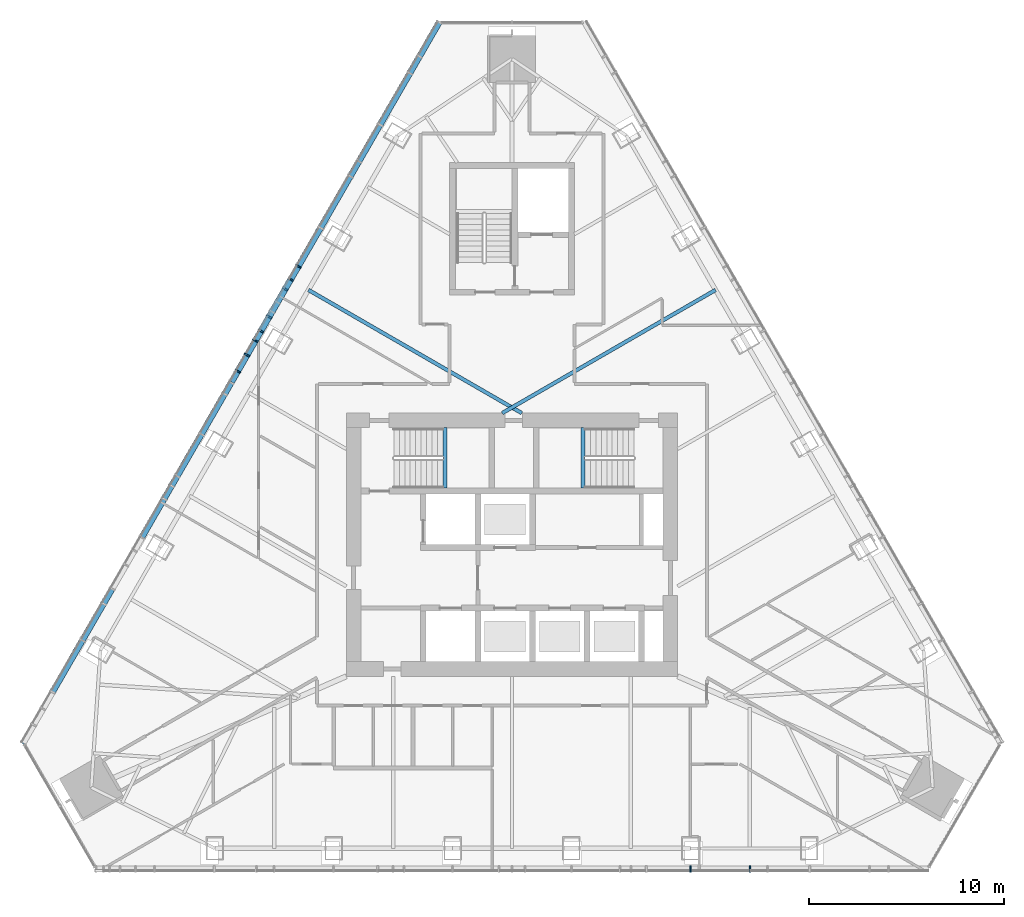
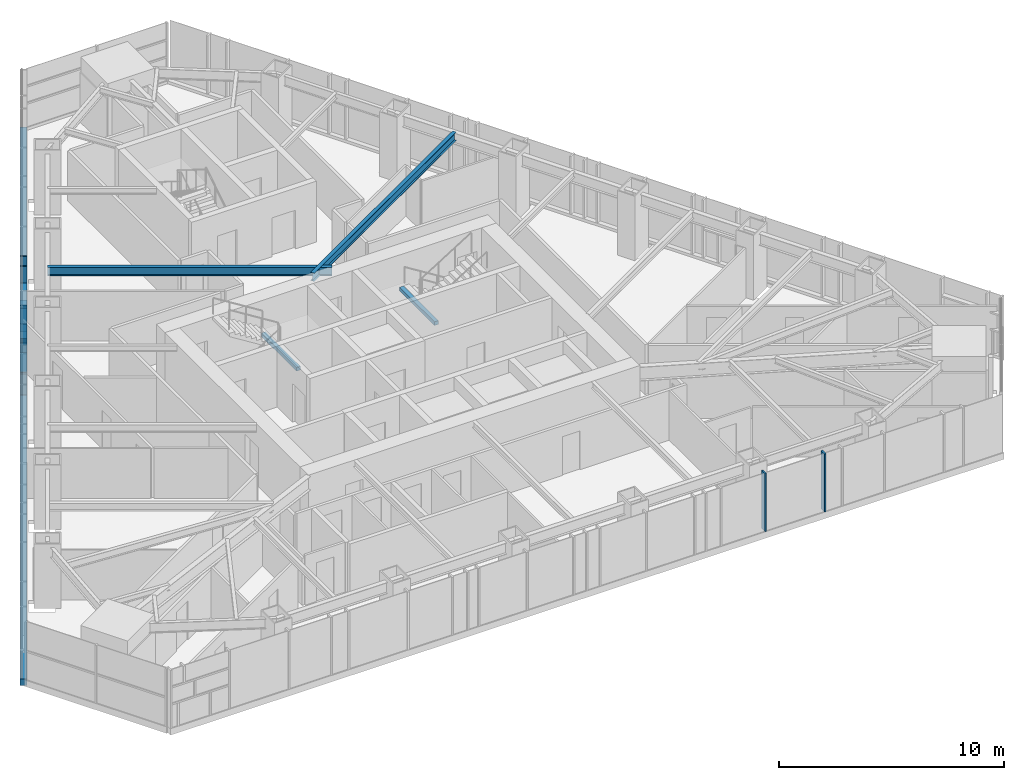
# One storey, part 4 of 18: 14 members, 4 beams, 2 elements without a shape of their own.
"""IFC4 building model written with IfcOpenShell, lengths in metres."""

from ifc_helpers import new_model, si_unit, direction, frame, origin, origin_2d, place, context, subcontext, project, spatial, rectangle, i_section, extrude, material, layer, layer_set, material_profile, profile_set, type_object, element, aggregate, save


model = new_model("IFC4")

# Units and contexts
model_context = context("Model", 3, precision=1e-05, world=origin(), true_north=direction((0.0, 1.0)))
body_context = subcontext(model_context, "Body", "Model", "MODEL_VIEW")
ifc_project = project(units=[si_unit("LENGTHUNIT", "METRE"), si_unit("AREAUNIT", "SQUARE_METRE"), si_unit("VOLUMEUNIT", "CUBIC_METRE"), si_unit("PLANEANGLEUNIT", "RADIAN"), si_unit("MASSUNIT", "GRAM", prefix="KILO")], contexts=[model_context])

# Site, building, storey
site_placement = place(None, origin())
site = spatial("IfcSite", under=ifc_project, at=site_placement, CompositionType="ELEMENT")
building_placement = place(site_placement, origin())
building = spatial("IfcBuilding", under=site, at=building_placement, Name="Firuza Gate Tower and Library", CompositionType="ELEMENT")
storey_placement = place(building_placement, frame((0.0, 0.0, 298.60009765625)))
storey = spatial("IfcBuildingStorey", under=building, at=storey_placement, Name="L72", CompositionType="ELEMENT", Elevation=298.60009765625)

# Curtain wall, members
ifc_material_1 = material(Name="Aluminium 6063-T6", Category="aluminium")
ifc_layer = layer(ifc_material_1, 0.14990234375)
ifc_layer_set = layer_set([ifc_layer], Name="Unitised curtain wall, residences")
curtain_wall_type = type_object("IfcCurtainWallType", Name="Unitised curtain wall, residences", PredefinedType="NOTDEFINED", material=ifc_layer_set)
placement = place(storey_placement, origin())
curtain_wall_1 = element("IfcCurtainWall", 1, at=placement, inside=storey, type_object=curtain_wall_type, Name="CW3 L72 S face", PredefinedType="NOTDEFINED")
ifc_material_2 = material(Name="Aluminium 6063-T6", Category="aluminium")
ifc_material_profile_1 = material_profile(ifc_material_2, rectangle(XDim=0.320068359375, YDim=0.080078125, at=origin_2d()))
ifc_profile_set_1 = profile_set([ifc_material_profile_1], Name="Aluminium 6063-T6")
member_type_1 = type_object("IfcMemberType", Name="Curtain wall mullion 80x320", PredefinedType="MULLION", material=ifc_profile_set_1)
member_1_placement = place(storey_placement, frame((84.16259765625, 58.36474609375, 0.14990234375), z_axis=(0.0, 0.0, 1.0), x_axis=(0.0, 1.0, 0.0)))
member_1 = element("IfcMember", 2, at=member_1_placement, type_object=member_type_1, Name="Mullion", PredefinedType="MULLION", context=body_context, shape_type="SweptSolid", body=[
    extrude(rectangle(XDim=0.320068359375, YDim=0.080078125, at=origin_2d()), origin(), (0.0, 0.0, 1.0), 3.14990234375),
])
member_2_placement = place(storey_placement, frame((87.216796875, 58.36474609375, 0.14990234375), z_axis=(0.0, 0.0, 1.0), x_axis=(0.0, 1.0, 0.0)))
member_2 = element("IfcMember", 3, at=member_2_placement, type_object=member_type_1, Name="Mullion", PredefinedType="MULLION", context=body_context, shape_type="SweptSolid", body=[
    extrude(rectangle(XDim=0.320068359375, YDim=0.080078125, at=origin_2d()), origin(), (0.0, 0.0, 1.0), 3.14990234375),
])
aggregate(curtain_wall_1, [member_1, member_2])

curtain_wall_2 = element("IfcCurtainWall", 4, at=placement, inside=storey, type_object=curtain_wall_type, Name="CW3 L72 W face", PredefinedType="NOTDEFINED")
member_3_placement = place(storey_placement, frame((63.647705078125, 88.607666015625, 0.14990234375), z_axis=(0.0, 0.0, 1.0), x_axis=(0.866025403784, -0.5, 0.0)))
member_3 = element("IfcMember", 5, at=member_3_placement, type_object=member_type_1, Name="Mullion", PredefinedType="MULLION", context=body_context, shape_type="SweptSolid", body=[
    extrude(rectangle(XDim=0.320068359375, YDim=0.080078125, at=origin_2d()), origin(), (0.0, 0.0, 1.0), 3.14990234375),
])
member_4_placement = place(storey_placement, frame((62.12060546875, 85.962646484375, 0.14990234375), z_axis=(0.0, 0.0, 1.0), x_axis=(0.866025403784, -0.5, 0.0)))
member_4 = element("IfcMember", 6, at=member_4_placement, type_object=member_type_1, Name="Mullion", PredefinedType="MULLION", context=body_context, shape_type="SweptSolid", body=[
    extrude(rectangle(XDim=0.320068359375, YDim=0.080078125, at=origin_2d()), origin(), (0.0, 0.0, 1.0), 3.14990234375),
])
member_5_placement = place(storey_placement, frame((64.036376953125, 89.281005859375, 0.14990234375), z_axis=(0.0, 0.0, 1.0), x_axis=(0.866025403784, -0.5, 0.0)))
member_5 = element("IfcMember", 7, at=member_5_placement, type_object=member_type_1, Name="Mullion", PredefinedType="MULLION", context=body_context, shape_type="SweptSolid", body=[
    extrude(rectangle(XDim=0.320068359375, YDim=0.080078125, at=origin_2d()), origin(), (0.0, 0.0, 1.0), 3.14990234375),
])
member_6_placement = place(storey_placement, frame((63.36376953125, 88.115966796875, 0.14990234375), z_axis=(0.0, 0.0, 1.0), x_axis=(0.866025403784, -0.5, 0.0)))
member_6 = element("IfcMember", 8, at=member_6_placement, type_object=member_type_1, Name="Mullion", PredefinedType="MULLION", context=body_context, shape_type="SweptSolid", body=[
    extrude(rectangle(XDim=0.320068359375, YDim=0.080078125, at=origin_2d()), origin(), (0.0, 0.0, 1.0), 1.260009765625),
])
member_7_placement = place(storey_placement, frame((62.539306640625, 86.68798828125, 0.14990234375), z_axis=(0.0, 0.0, 1.0), x_axis=(0.866025403784, -0.5, 0.0)))
member_7 = element("IfcMember", 9, at=member_7_placement, type_object=member_type_1, Name="Mullion", PredefinedType="MULLION", context=body_context, shape_type="SweptSolid", body=[
    extrude(rectangle(XDim=0.320068359375, YDim=0.080078125, at=origin_2d()), origin(), (0.0, 0.0, 1.0), 1.260009765625),
])
member_8_placement = place(storey_placement, frame((61.835693359375, 85.46923828125, 0.14990234375), z_axis=(0.0, 0.0, 1.0), x_axis=(0.866025403784, -0.5, 0.0)))
member_8 = element("IfcMember", 10, at=member_8_placement, type_object=member_type_1, Name="Mullion", PredefinedType="MULLION", context=body_context, shape_type="SweptSolid", body=[
    extrude(rectangle(XDim=0.320068359375, YDim=0.080078125, at=origin_2d()), origin(), (0.0, 0.0, 1.0), 1.534912109375),
])
member_9_placement = place(storey_placement, frame((60.9296875, 83.900146484375, 0.14990234375), z_axis=(0.0, 0.0, 1.0), x_axis=(0.866025403784, -0.5, 0.0)))
member_9 = element("IfcMember", 11, at=member_9_placement, type_object=member_type_1, Name="Mullion", PredefinedType="MULLION", context=body_context, shape_type="SweptSolid", body=[
    extrude(rectangle(XDim=0.320068359375, YDim=0.080078125, at=origin_2d()), origin(), (0.0, 0.0, 1.0), 1.534912109375),
])
member_10_placement = place(storey_placement, frame((61.407470703125, 84.727783203125, 1.764892578125), z_axis=(0.0, 0.0, 1.0), x_axis=(0.866025403784, -0.5, 0.0)))
member_10 = element("IfcMember", 12, at=member_10_placement, type_object=member_type_1, Name="Mullion", PredefinedType="MULLION", context=body_context, shape_type="SweptSolid", body=[
    extrude(rectangle(XDim=0.320068359375, YDim=0.080078125, at=origin_2d()), origin(), (0.0, 0.0, 1.0), 1.534912109375),
])
ifc_material_3 = material(Name="Aluminium 6063-T6", Category="aluminium")
ifc_material_profile_2 = material_profile(ifc_material_3, rectangle(XDim=0.320068359375, YDim=0.35009765625, at=origin_2d()))
ifc_profile_set_2 = profile_set([ifc_material_profile_2], Name="Aluminium 6063-T6")
member_type_2 = type_object("IfcMemberType", Name="Curtain wall transom 350x320", PredefinedType="USERDEFINED", material=ifc_profile_set_2)
member_11_placement = place(storey_placement, frame((71.283203125, 101.832763671875, -0.025146484375), z_axis=(-0.500001704016, -0.866024419968, 0.0), x_axis=(0.866024419968, -0.500001704016, 0.0)))
member_11 = element("IfcMember", 13, at=member_11_placement, type_object=member_type_2, Name="Transom", ObjectType="TRANSOM", PredefinedType="USERDEFINED", context=body_context, shape_type="SweptSolid", body=[
    extrude(rectangle(XDim=0.320068359375, YDim=0.35009765625, at=origin_2d()), origin(), (0.0, 0.0, 1.0), 42.758544921875),
])
ifc_material_4 = material(Name="Aluminium 6063-T6", Category="aluminium")
ifc_material_profile_3 = material_profile(ifc_material_4, rectangle(XDim=0.320068359375, YDim=0.080078125, at=origin_2d()))
ifc_profile_set_3 = profile_set([ifc_material_profile_3], Name="Aluminium 6063-T6")
member_type_3 = type_object("IfcMemberType", Name="Curtain wall transom 80x320", PredefinedType="USERDEFINED", material=ifc_profile_set_3)
member_12_placement = place(storey_placement, frame((63.627685546875, 88.572998046875, 1.449951171875), z_axis=(-0.499997208602, -0.866027015393, 0.0), x_axis=(0.866027015393, -0.499997208602, 0.0)))
member_12 = element("IfcMember", 14, at=member_12_placement, type_object=member_type_3, Name="Transom", ObjectType="TRANSOM", PredefinedType="USERDEFINED", context=body_context, shape_type="SweptSolid", body=[
    extrude(rectangle(XDim=0.320068359375, YDim=0.080078125, at=origin_2d()), origin(), (0.0, 0.0, 1.0), 2.97412109375),
])
member_13_placement = place(storey_placement, frame((63.627685546875, 88.572998046875, 2.375), z_axis=(-0.499997208602, -0.866027015393, 0.0), x_axis=(0.866027015393, -0.499997208602, 0.0)))
member_13 = element("IfcMember", 15, at=member_13_placement, type_object=member_type_3, Name="Transom", ObjectType="TRANSOM", PredefinedType="USERDEFINED", context=body_context, shape_type="SweptSolid", body=[
    extrude(rectangle(XDim=0.320068359375, YDim=0.080078125, at=origin_2d()), origin(), (0.0, 0.0, 1.0), 2.97412109375),
])
member_14_placement = place(storey_placement, frame((62.1005859375, 85.927978515625, 1.724853515625), z_axis=(-0.499997208602, -0.866027015393, 0.0), x_axis=(0.866027015393, -0.499997208602, 0.0)))
member_14 = element("IfcMember", 16, at=member_14_placement, type_object=member_type_3, Name="Transom", ObjectType="TRANSOM", PredefinedType="USERDEFINED", context=body_context, shape_type="SweptSolid", body=[
    extrude(rectangle(XDim=0.320068359375, YDim=0.080078125, at=origin_2d()), origin(), (0.0, 0.0, 1.0), 2.97412109375),
])
aggregate(curtain_wall_2, [member_3, member_4, member_11, member_5, member_6, member_7, member_12, member_13, member_8, member_9, member_10, member_14])

# Beams
ifc_material_5 = material(Name="Concrete C35/45", Category="concrete")
ifc_material_profile_4 = material_profile(ifc_material_5, rectangle(XDim=0.199951171875, YDim=0.199951171875, at=origin_2d()))
ifc_profile_set_4 = profile_set([ifc_material_profile_4], Name="Concrete C35/45")
beam_type_1 = type_object("IfcBeamType", Name="Stair landing bearer 200x200", PredefinedType="BEAM", material=ifc_profile_set_4)
for number, where, z_axis, x_axis, name in (
    (17, (71.56005859375, 77.89990234375, 1.449951171875), (0.0, 1.0, 0.0), (-1.0, 0.0, 0.0), "Landing bearer L72 stair 1"),
    (18, (78.639892578125, 81.0, 1.449951171875), (0.0, -1.0, 0.0), (1.0, 0.0, 0.0), "Landing bearer L72 stair 2"),
):
    element("IfcBeam", number, at=place(storey_placement, frame(where, z_axis=z_axis, x_axis=x_axis)), inside=storey, type_object=beam_type_1, Name=name, PredefinedType="BEAM", context=body_context, shape_type="SweptSolid", body=[
        extrude(rectangle(XDim=0.199951171875, YDim=0.199951171875, at=origin_2d()), origin(), (0.0, 0.0, 1.0), 3.10009765625),
    ])
ifc_material_6 = material(Name="Steel S355", Category="steel")
ifc_material_profile_5 = material_profile(ifc_material_6, i_section(OverallWidth=0.18994140625, OverallDepth=0.45703125, WebThickness=0.009033203125, FlangeThickness=0.014404296875, at=origin_2d()))
ifc_profile_set_5 = profile_set([ifc_material_profile_5], Name="Steel S355")
beam_type_2 = type_object("IfcBeamType", Name="W460x74 Floor beam", PredefinedType="JOIST", material=ifc_profile_set_5)
for number, where, z_axis, x_axis, name in (
    (19, (85.440673828125, 88.06689453125, 3.0712890625), (-0.866029835762, -0.499992323512, 0.0), (0.499992323512, -0.866029835762, 0.0), "Floor beam L72 s53"),
    (20, (64.559326171875, 88.06689453125, 3.0712890625), (0.866029835762, -0.499992323512, 0.0), (0.499992323512, 0.866029835762, 0.0), "Floor beam L72 s81"),
):
    element("IfcBeam", number, at=place(storey_placement, frame(where, z_axis=z_axis, x_axis=x_axis)), inside=storey, type_object=beam_type_2, Name=name, PredefinedType="JOIST", context=body_context, shape_type="SweptSolid", body=[
        extrude(i_section(OverallWidth=0.18994140625, OverallDepth=0.45703125, WebThickness=0.009033203125, FlangeThickness=0.014404296875, at=origin_2d()), origin(), (0.0, 0.0, 1.0), 12.634033203125),
    ])

save(model, "model.ifc")
